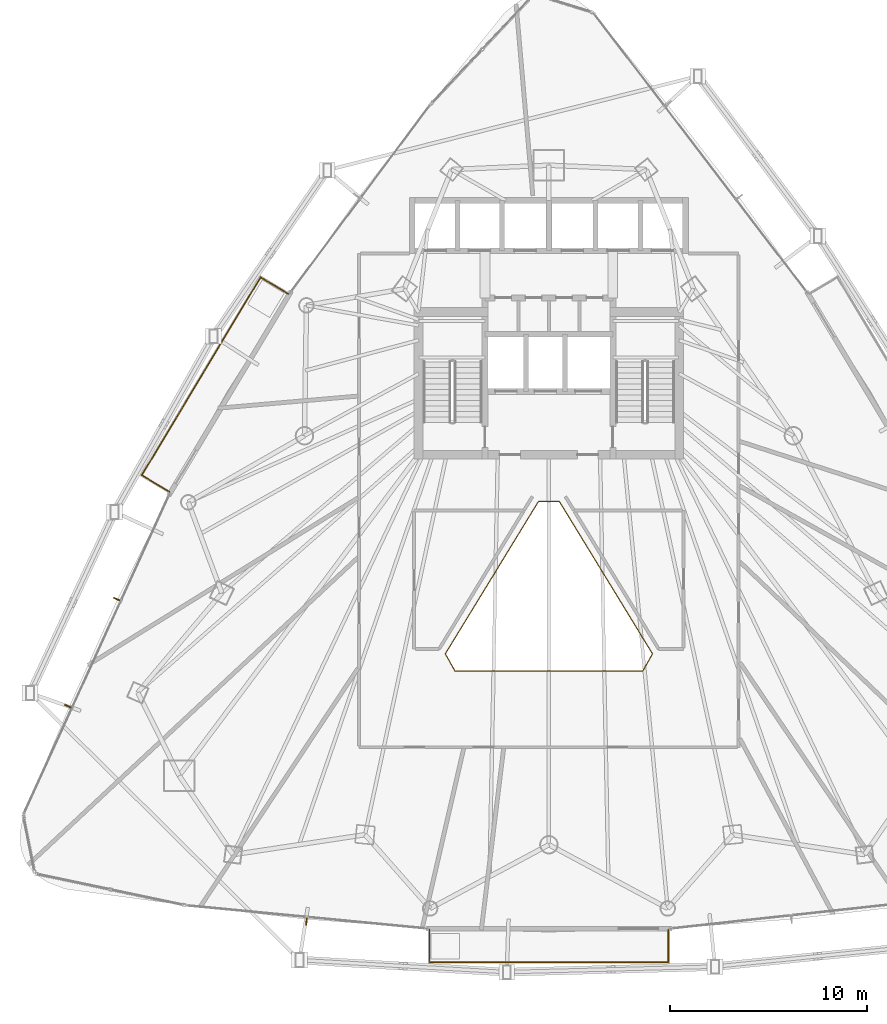
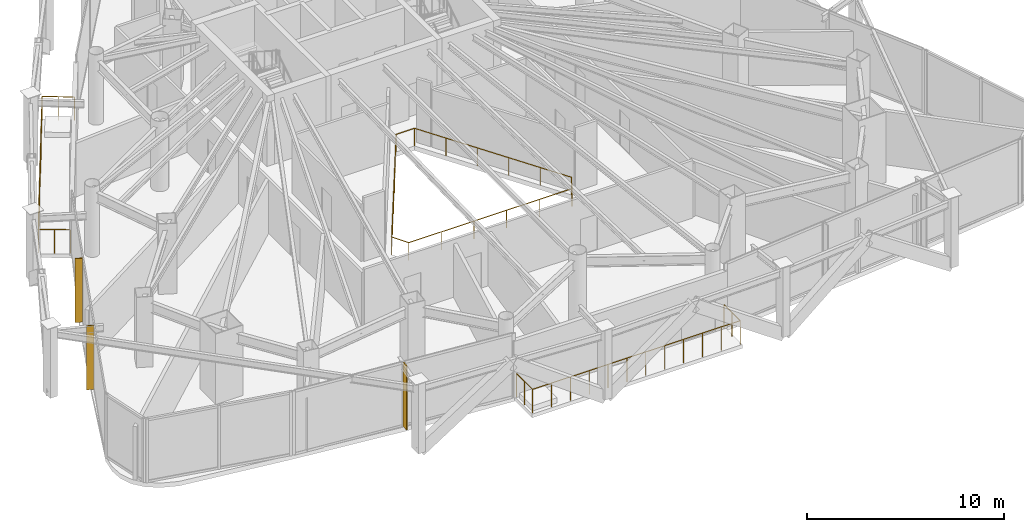
# One storey, part 31 of 33: 3 railings, 3 shading devices.
"""IFC4 building model written with IfcOpenShell, lengths in metres."""

from ifc_helpers import new_model, si_unit, direction, frame, origin, origin_2d, place, context, subcontext, project, spatial, rectangle, circle, extrude, material, layer, layer_set, type_object, element, save


model = new_model("IFC4")

# Units and contexts
model_context = context("Model", 3, precision=1e-05, world=origin(), true_north=direction((0.0, 1.0)))
body_context = subcontext(model_context, "Body", "Model", "MODEL_VIEW")
ifc_project = project(units=[si_unit("LENGTHUNIT", "METRE"), si_unit("AREAUNIT", "SQUARE_METRE"), si_unit("VOLUMEUNIT", "CUBIC_METRE"), si_unit("PLANEANGLEUNIT", "RADIAN"), si_unit("MASSUNIT", "GRAM", prefix="KILO")], contexts=[model_context])

# Site, building, storey
site_placement = place(None, origin())
site = spatial("IfcSite", under=ifc_project, at=site_placement, CompositionType="ELEMENT")
building_placement = place(site_placement, origin())
building = spatial("IfcBuilding", under=site, at=building_placement, Name="Orvanel Arch Residences", CompositionType="ELEMENT")
storey_placement = place(building_placement, frame((0.0, 0.0, 97.25)))
storey = spatial("IfcBuildingStorey", under=building, at=storey_placement, Name="L27", CompositionType="ELEMENT", Elevation=97.25)

# Shading devices
ifc_material = material(Name="Bronze-anodised aluminium AA6063-T6", Category="aluminium")
ifc_layer = layer(ifc_material, 0.06005859375)
ifc_layer_set = layer_set([ifc_layer], Name="Bronze-anodised aluminium AA6063-T6")
shading_device_type = type_object("IfcShadingDeviceType", Name="FIN-BRZ-380", PredefinedType="USERDEFINED", material=ifc_layer_set)
for number, where, z_axis, x_axis, name in (
    (1, (11.030029296875, 19.326904296875, 0.0), (0.0, 0.0, 1.0), (-0.909961270877, 0.414693242656, 0.0), "L27 Anodised Bronze Mullion FIN 01"),
    (2, (8.552001953125, 13.889892578125, 0.0), (0.0, 0.0, 1.0), (-0.909961270877, 0.414693242656, 0.0), "L27 Anodised Bronze Mullion FIN 02"),
    (3, (20.675048828125, 2.947998046875, 0.0), (0.0, 0.0, 1.0), (-0.09584575252, -0.995396198367, 0.0), "L27 Anodised Bronze Mullion FIN 01"),
):
    element("IfcShadingDevice", number, at=place(storey_placement, frame(where, z_axis=z_axis, x_axis=x_axis)), inside=storey, type_object=shading_device_type, Name=name, ObjectType="FIN", PredefinedType="USERDEFINED", context=body_context, shape_type="SweptSolid", body=[
        extrude(rectangle(XDim=0.3798828125, YDim=0.06005859375, at=origin_2d()), origin(), (0.0, 0.0, 1.0), 3.949951171875),
    ])

# Railings
railing_type_1 = type_object("IfcRailingType", Name="RL-ATR-1120", PredefinedType="BALUSTRADE", material=ifc_material)
railing_1_placement = place(storey_placement, frame((33.532958984375, 24.2900390625, 0.0)))
element("IfcRailing", 4, at=railing_1_placement, inside=storey, type_object=railing_type_1, Name="L27 Atrium Void Protective Balustrade", PredefinedType="BALUSTRADE", context=body_context, shape_type="SweptSolid", body=[
    extrude(circle(Radius=0.02392578125, at=origin_2d()), frame((-0.00146484375, 0.0, 1.09619140625), z_axis=(-1.0, 0.0, 0.0), x_axis=(0.0, -1.0, 0.0)), (0.0, 0.0, 1.0), 1.06298828125),
    extrude(circle(Radius=0.02392578125, at=origin_2d()), frame((-1.066650390625, -0.001220703125, 1.09619140625), z_axis=(-0.52162312281, -0.853176018035, 0.0), x_axis=(0.853176018035, -0.52162312281, 0.0)), (0.0, 0.0, 1.0), 9.066650390625),
    extrude(circle(Radius=0.02392578125, at=origin_2d()), frame((-5.796142578125, -7.7392578125, 1.09619140625), z_axis=(0.489844023127, -0.871810089989, 0.0), x_axis=(0.871810089989, 0.489844023127, 0.0)), (0.0, 0.0, 1.0), 0.997314453125),
    extrude(circle(Radius=0.02392578125, at=origin_2d()), frame((-5.305419921875, -8.610107421875, 1.09619140625), z_axis=(1.0, 0.0, 0.0), x_axis=(0.0, 1.0, 0.0)), (0.0, 0.0, 1.0), 9.544921875),
    extrude(circle(Radius=0.02392578125, at=origin_2d()), frame((4.24169921875, -8.60888671875, 1.09619140625), z_axis=(0.489844023127, 0.871810089989, 0.0), x_axis=(-0.871810089989, 0.489844023127, 0.0)), (0.0, 0.0, 1.0), 0.997314453125),
    extrude(circle(Radius=0.02392578125, at=origin_2d()), frame((4.730224609375, -7.73681640625, 1.09619140625), z_axis=(-0.52162312281, 0.853176018035, 0.0), x_axis=(-0.853176018035, -0.52162312281, 0.0)), (0.0, 0.0, 1.0), 9.066650390625),
    extrude(circle(Radius=0.02099609375, at=origin_2d()), origin(), (0.0, 0.0, 1.0), 1.070068359375),
    extrude(circle(Radius=0.02099609375, at=origin_2d()), frame((-1.06591796875, 0.0, 0.0)), (0.0, 0.0, 1.0), 1.070068359375),
    extrude(circle(Radius=0.02099609375, at=origin_2d()), frame((-2.01220703125, -1.547607421875, 0.0)), (0.0, 0.0, 1.0), 1.070068359375),
    extrude(circle(Radius=0.02099609375, at=origin_2d()), frame((-2.958251953125, -3.09521484375, 0.0)), (0.0, 0.0, 1.0), 1.070068359375),
    extrude(circle(Radius=0.02099609375, at=origin_2d()), frame((-3.904541015625, -4.642822265625, 0.0)), (0.0, 0.0, 1.0), 1.070068359375),
    extrude(circle(Radius=0.02099609375, at=origin_2d()), frame((-4.8505859375, -6.1904296875, 0.0)), (0.0, 0.0, 1.0), 1.070068359375),
    extrude(circle(Radius=0.02099609375, at=origin_2d()), frame((-5.796875, -7.738037109375, 0.0)), (0.0, 0.0, 1.0), 1.070068359375),
    extrude(circle(Radius=0.02099609375, at=origin_2d()), frame((-5.306884765625, -8.610107421875, 0.0)), (0.0, 0.0, 1.0), 1.070068359375),
    extrude(circle(Radius=0.02099609375, at=origin_2d()), frame((-3.397216796875, -8.610107421875, 0.0)), (0.0, 0.0, 1.0), 1.070068359375),
    extrude(circle(Radius=0.02099609375, at=origin_2d()), frame((-1.48779296875, -8.610107421875, 0.0)), (0.0, 0.0, 1.0), 1.070068359375),
    extrude(circle(Radius=0.02099609375, at=origin_2d()), frame((0.421875, -8.610107421875, 0.0)), (0.0, 0.0, 1.0), 1.070068359375),
    extrude(circle(Radius=0.02099609375, at=origin_2d()), frame((2.331298828125, -8.610107421875, 0.0)), (0.0, 0.0, 1.0), 1.070068359375),
    extrude(circle(Radius=0.02099609375, at=origin_2d()), frame((4.240966796875, -8.610107421875, 0.0)), (0.0, 0.0, 1.0), 1.070068359375),
    extrude(circle(Radius=0.02099609375, at=origin_2d()), frame((4.73095703125, -7.738037109375, 0.0)), (0.0, 0.0, 1.0), 1.070068359375),
    extrude(circle(Radius=0.02099609375, at=origin_2d()), frame((3.78466796875, -6.1904296875, 0.0)), (0.0, 0.0, 1.0), 1.070068359375),
    extrude(circle(Radius=0.02099609375, at=origin_2d()), frame((2.838623046875, -4.642822265625, 0.0)), (0.0, 0.0, 1.0), 1.070068359375),
    extrude(circle(Radius=0.02099609375, at=origin_2d()), frame((1.892333984375, -3.09521484375, 0.0)), (0.0, 0.0, 1.0), 1.070068359375),
    extrude(circle(Radius=0.02099609375, at=origin_2d()), frame((0.9462890625, -1.547607421875, 0.0)), (0.0, 0.0, 1.0), 1.070068359375),
])
railing_type_2 = type_object("IfcRailingType", Name="RL-BAL-1480", PredefinedType="BALUSTRADE", material=ifc_material)
railing_2_placement = place(storey_placement, frame((19.743896484375, 34.85595703125, 0.0)))
element("IfcRailing", 5, at=railing_2_placement, inside=storey, type_object=railing_type_2, Name="L27 Balcony Perimeter Guardrail Face 1", PredefinedType="BALUSTRADE", context=body_context, shape_type="SweptSolid", body=[
    extrude(circle(Radius=0.02392578125, at=origin_2d()), frame((-0.001220703125, 0.000732421875, 1.4560546875), z_axis=(-0.857387817543, 0.514670895164, 0.0), x_axis=(-0.514670895164, -0.857387817543, 0.0)), (0.0, 0.0, 1.0), 1.636962890625),
    extrude(circle(Radius=0.02392578125, at=origin_2d()), frame((-1.40673828125, 0.8427734375, 1.4560546875), z_axis=(-0.514413176818, -0.857542467471, 0.0), x_axis=(0.857542467471, -0.514413176818, 0.0)), (0.0, 0.0, 1.0), 11.736328125),
    extrude(circle(Radius=0.02392578125, at=origin_2d()), frame((-7.443603515625, -9.2236328125, 1.4560546875), z_axis=(0.857545439568, -0.514408222208, 0.0), x_axis=(0.514408222208, 0.857545439568, 0.0)), (0.0, 0.0, 1.0), 1.6376953125),
    extrude(circle(Radius=0.02099609375, at=origin_2d()), origin(), (0.0, 0.0, 1.0), 1.429931640625),
    extrude(circle(Radius=0.02099609375, at=origin_2d()), frame((-0.703125, 0.421875, 0.0)), (0.0, 0.0, 1.0), 1.429931640625),
    extrude(circle(Radius=0.02099609375, at=origin_2d()), frame((-1.406005859375, 0.843994140625, 0.0)), (0.0, 0.0, 1.0), 1.429931640625),
    extrude(circle(Radius=0.02099609375, at=origin_2d()), frame((-2.009765625, -0.16259765625, 0.0)), (0.0, 0.0, 1.0), 1.429931640625),
    extrude(circle(Radius=0.02099609375, at=origin_2d()), frame((-2.61376953125, -1.16943359375, 0.0)), (0.0, 0.0, 1.0), 1.429931640625),
    extrude(circle(Radius=0.02099609375, at=origin_2d()), frame((-3.2177734375, -2.176025390625, 0.0)), (0.0, 0.0, 1.0), 1.429931640625),
    extrude(circle(Radius=0.02099609375, at=origin_2d()), frame((-3.821533203125, -3.182861328125, 0.0)), (0.0, 0.0, 1.0), 1.429931640625),
    extrude(circle(Radius=0.02099609375, at=origin_2d()), frame((-4.42529296875, -4.189453125, 0.0)), (0.0, 0.0, 1.0), 1.429931640625),
    extrude(circle(Radius=0.02099609375, at=origin_2d()), frame((-5.029296875, -5.196044921875, 0.0)), (0.0, 0.0, 1.0), 1.429931640625),
    extrude(circle(Radius=0.02099609375, at=origin_2d()), frame((-5.63330078125, -6.202880859375, 0.0)), (0.0, 0.0, 1.0), 1.429931640625),
    extrude(circle(Radius=0.02099609375, at=origin_2d()), frame((-6.237060546875, -7.20947265625, 0.0)), (0.0, 0.0, 1.0), 1.429931640625),
    extrude(circle(Radius=0.02099609375, at=origin_2d()), frame((-6.8408203125, -8.21630859375, 0.0)), (0.0, 0.0, 1.0), 1.429931640625),
    extrude(circle(Radius=0.02099609375, at=origin_2d()), frame((-7.44482421875, -9.222900390625, 0.0)), (0.0, 0.0, 1.0), 1.429931640625),
    extrude(circle(Radius=0.02099609375, at=origin_2d()), frame((-6.7412109375, -9.64501953125, 0.0)), (0.0, 0.0, 1.0), 1.429931640625),
    extrude(circle(Radius=0.02099609375, at=origin_2d()), frame((-6.037841796875, -10.06689453125, 0.0)), (0.0, 0.0, 1.0), 1.429931640625),
])
railing_3_placement = place(storey_placement, frame((26.927978515625, 2.514892578125, 0.0)))
element("IfcRailing", 6, at=railing_3_placement, inside=storey, type_object=railing_type_2, Name="L27 Balcony Perimeter Guardrail Face 2", PredefinedType="BALUSTRADE", context=body_context, shape_type="SweptSolid", body=[
    extrude(circle(Radius=0.02392578125, at=origin_2d()), frame((0.0, -0.00146484375, 1.4560546875), z_axis=(0.0, -1.0, 0.0), x_axis=(1.0, 0.0, 0.0)), (0.0, 0.0, 1.0), 1.636962890625),
    extrude(circle(Radius=0.02392578125, at=origin_2d()), frame((0.00146484375, -1.639892578125, 1.4560546875), z_axis=(1.0, 0.0, 0.0), x_axis=(0.0, 1.0, 0.0)), (0.0, 0.0, 1.0), 12.14111328125),
    extrude(circle(Radius=0.02392578125, at=origin_2d()), frame((12.14404296875, -1.638427734375, 1.4560546875), z_axis=(0.0, 1.0, 0.0), x_axis=(-1.0, 0.0, 0.0)), (0.0, 0.0, 1.0), 1.636962890625),
    extrude(circle(Radius=0.02099609375, at=origin_2d()), origin(), (0.0, 0.0, 1.0), 1.429931640625),
    extrude(circle(Radius=0.02099609375, at=origin_2d()), frame((0.0, -0.81982421875, 0.0)), (0.0, 0.0, 1.0), 1.429931640625),
    extrude(circle(Radius=0.02099609375, at=origin_2d()), frame((0.0, -1.639892578125, 0.0)), (0.0, 0.0, 1.0), 1.429931640625),
    extrude(circle(Radius=0.02099609375, at=origin_2d()), frame((1.10400390625, -1.639892578125, 0.0)), (0.0, 0.0, 1.0), 1.429931640625),
    extrude(circle(Radius=0.02099609375, at=origin_2d()), frame((2.2080078125, -1.639892578125, 0.0)), (0.0, 0.0, 1.0), 1.429931640625),
    extrude(circle(Radius=0.02099609375, at=origin_2d()), frame((3.31201171875, -1.639892578125, 0.0)), (0.0, 0.0, 1.0), 1.429931640625),
    extrude(circle(Radius=0.02099609375, at=origin_2d()), frame((4.416015625, -1.639892578125, 0.0)), (0.0, 0.0, 1.0), 1.429931640625),
    extrude(circle(Radius=0.02099609375, at=origin_2d()), frame((5.52001953125, -1.639892578125, 0.0)), (0.0, 0.0, 1.0), 1.429931640625),
    extrude(circle(Radius=0.02099609375, at=origin_2d()), frame((6.6240234375, -1.639892578125, 0.0)), (0.0, 0.0, 1.0), 1.429931640625),
    extrude(circle(Radius=0.02099609375, at=origin_2d()), frame((7.72802734375, -1.639892578125, 0.0)), (0.0, 0.0, 1.0), 1.429931640625),
    extrude(circle(Radius=0.02099609375, at=origin_2d()), frame((8.83203125, -1.639892578125, 0.0)), (0.0, 0.0, 1.0), 1.429931640625),
    extrude(circle(Radius=0.02099609375, at=origin_2d()), frame((9.93603515625, -1.639892578125, 0.0)), (0.0, 0.0, 1.0), 1.429931640625),
    extrude(circle(Radius=0.02099609375, at=origin_2d()), frame((11.0400390625, -1.639892578125, 0.0)), (0.0, 0.0, 1.0), 1.429931640625),
    extrude(circle(Radius=0.02099609375, at=origin_2d()), frame((12.14404296875, -1.639892578125, 0.0)), (0.0, 0.0, 1.0), 1.429931640625),
    extrude(circle(Radius=0.02099609375, at=origin_2d()), frame((12.14404296875, -0.81982421875, 0.0)), (0.0, 0.0, 1.0), 1.429931640625),
    extrude(circle(Radius=0.02099609375, at=origin_2d()), frame((12.14404296875, 0.0, 0.0)), (0.0, 0.0, 1.0), 1.429931640625),
])

save(model, "model.ifc")
